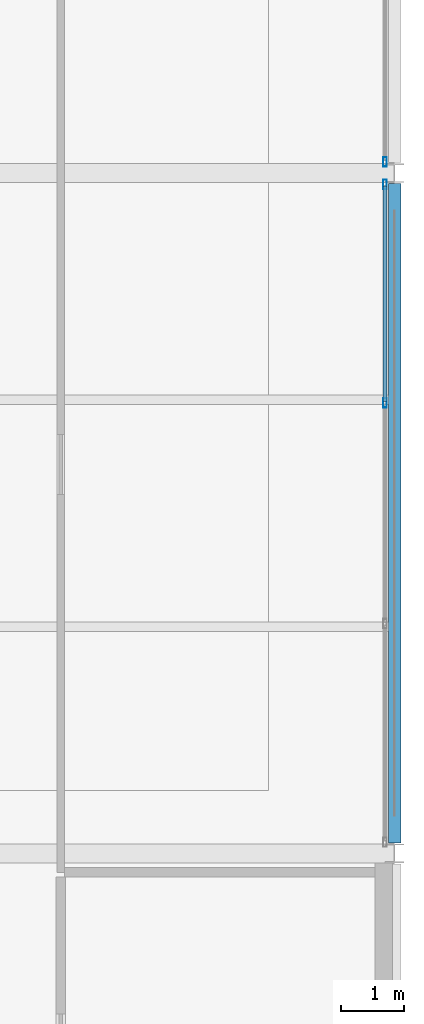
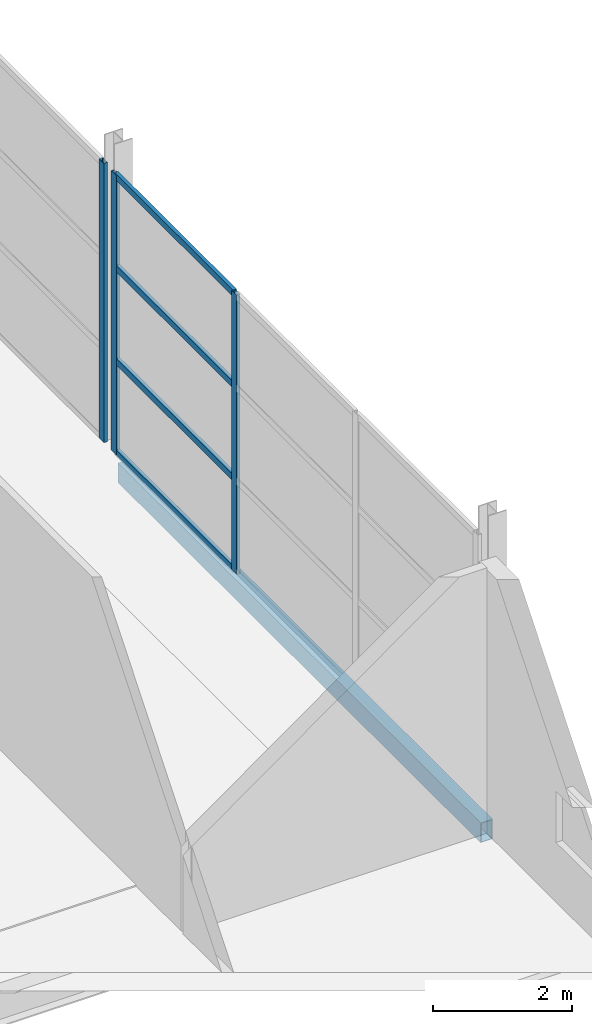
# One storey, part 14 of 34: 7 members, 1 beam, 2 elements without a shape of their own.
"""IFC4 building model written with IfcOpenShell, lengths in metres."""

from ifc_helpers import new_model, si_unit, direction, frame, origin, origin_2d, place, context, subcontext, project, spatial, hollow_rectangle, extrude, material, layer, layer_set, material_profile, profile_set, type_object, element, aggregate, save


model = new_model("IFC4")

# Units and contexts
model_context = context("Model", 3, precision=1e-05, world=origin(), true_north=direction((0.0, 1.0)))
body_context = subcontext(model_context, "Body", "Model", "MODEL_VIEW")
ifc_project = project(units=[si_unit("LENGTHUNIT", "METRE"), si_unit("AREAUNIT", "SQUARE_METRE"), si_unit("VOLUMEUNIT", "CUBIC_METRE"), si_unit("PLANEANGLEUNIT", "RADIAN"), si_unit("MASSUNIT", "GRAM", prefix="KILO")], contexts=[model_context])

# Site, building, storey
site_placement = place(None, origin())
site = spatial("IfcSite", under=ifc_project, at=site_placement, CompositionType="ELEMENT")
building_placement = place(site_placement, origin())
building = spatial("IfcBuilding", under=site, at=building_placement, Name="Tamarisk Ironworks Central Station", CompositionType="ELEMENT")
storey_placement = place(building_placement, frame((0.0, 0.0, 25.199951171875)))
storey = spatial("IfcBuildingStorey", under=building, at=storey_placement, Name="L05", CompositionType="ELEMENT", Elevation=25.199951171875)

# Beam
ifc_material_1 = material(Name="Structural steel S355J2", Category="steel")
ifc_material_profile_1 = material_profile(ifc_material_1, hollow_rectangle(XDim=0.199951171875, YDim=0.35009765625, WallThickness=0.012451171875, at=origin_2d()), Name="RHS 350x200x12.5")
ifc_profile_set_1 = profile_set([ifc_material_profile_1], Name="Structural steel S355J2")
beam_type = type_object("IfcBeamType", Name="BM-SP01", PredefinedType="SPANDREL", material=ifc_profile_set_1)
beam_placement = place(storey_placement, frame((180.0, 90.16796875, -0.39501953125), z_axis=(0.0, 1.0, 0.0), x_axis=(-1.0, 0.0, 0.0)))
element("IfcBeam", 1, at=beam_placement, inside=storey, type_object=beam_type, Name="L05 primary girder Y-0783", PredefinedType="SPANDREL", context=body_context, shape_type="SweptSolid", body=[
    extrude(hollow_rectangle(XDim=0.199951171875, YDim=0.35009765625, WallThickness=0.012451171875, at=origin_2d()), origin(), (0.0, 0.0, 1.0), 10.464111328125),
])

# Curtain wall, members
ifc_material_2 = material(Name="Anodized aluminium alloy 6063-T6", Category="aluminium")
ifc_layer = layer(ifc_material_2, 0.179931640625)
ifc_layer_set = layer_set([ifc_layer], Name="Anodized aluminium alloy 6063-T6")
curtain_wall_type = type_object("IfcCurtainWallType", Name="CW-23", PredefinedType="USERDEFINED", material=ifc_layer_set)
curtain_wall_1_placement = place(storey_placement, origin())
curtain_wall_1 = element("IfcCurtainWall", 2, at=curtain_wall_1_placement, inside=storey, type_object=curtain_wall_type, Name="Operations L05 east facade curtain wall 090", ObjectType="GLAZED CURTAIN WALL", PredefinedType="USERDEFINED")
ifc_material_profile_2 = material_profile(ifc_material_2, hollow_rectangle(XDim=0.06005859375, YDim=0.14990234375, WallThickness=0.00341796875, at=origin_2d()), Name="ALUM 150x60")
ifc_profile_set_2 = profile_set([ifc_material_profile_2], Name="Anodized aluminium alloy 6063-T6")
member_type_1 = type_object("IfcMemberType", Name="CWM-03", PredefinedType="MULLION", material=ifc_profile_set_2)
member_1_placement = place(storey_placement, frame((179.85009765625, 97.150634765625, 0.0), z_axis=(0.0, 0.0, 1.0), x_axis=(-1.0, 0.0, 0.0)))
member_1 = element("IfcMember", 3, at=member_1_placement, type_object=member_type_1, Name="CW23 mullion 3", PredefinedType="MULLION", context=body_context, shape_type="SweptSolid", body=[
    extrude(hollow_rectangle(XDim=0.06005859375, YDim=0.14990234375, WallThickness=0.00341796875, at=origin_2d()), origin(), (0.0, 0.0, 1.0), 4.920166015625),
])
member_2_placement = place(storey_placement, frame((179.85009765625, 100.6220703125, 0.0), z_axis=(0.0, 0.0, 1.0), x_axis=(-1.0, 0.0, 0.0)))
member_2 = element("IfcMember", 4, at=member_2_placement, type_object=member_type_1, Name="CW23 mullion 4", PredefinedType="MULLION", context=body_context, shape_type="SweptSolid", body=[
    extrude(hollow_rectangle(XDim=0.06005859375, YDim=0.14990234375, WallThickness=0.00341796875, at=origin_2d()), origin(), (0.0, 0.0, 1.0), 4.920166015625),
])

# Curtain wall, member
curtain_wall_2_placement = place(storey_placement, origin())
curtain_wall_2 = element("IfcCurtainWall", 5, at=curtain_wall_2_placement, inside=storey, type_object=curtain_wall_type, Name="Operations L05 east facade curtain wall 100", ObjectType="GLAZED CURTAIN WALL", PredefinedType="USERDEFINED")
member_3_placement = place(storey_placement, frame((179.85009765625, 100.97802734375, 0.0), z_axis=(0.0, 0.0, 1.0), x_axis=(-1.0, 0.0, 0.0)))
member_3 = element("IfcMember", 6, at=member_3_placement, type_object=member_type_1, Name="CW23 mullion 1", PredefinedType="MULLION", context=body_context, shape_type="SweptSolid", body=[
    extrude(hollow_rectangle(XDim=0.06005859375, YDim=0.14990234375, WallThickness=0.00341796875, at=origin_2d()), origin(), (0.0, 0.0, 1.0), 4.920166015625),
])
aggregate(curtain_wall_2, [member_3])

# Member
ifc_material_profile_3 = material_profile(ifc_material_2, hollow_rectangle(XDim=0.06005859375, YDim=0.114990234375, WallThickness=0.00341796875, at=origin_2d()), Name="ALUM 115x60")
ifc_profile_set_3 = profile_set([ifc_material_profile_3], Name="Anodized aluminium alloy 6063-T6")
member_type_2 = type_object("IfcMemberType", Name="CWT-03", PredefinedType="USERDEFINED", material=ifc_profile_set_3)
member_4_placement = place(storey_placement, frame((179.85009765625, 97.1767578125, 0.030029296875), z_axis=(0.0, 1.0, 0.0), x_axis=(-1.0, 0.0, 0.0)))
member_4 = element("IfcMember", 7, at=member_4_placement, type_object=member_type_2, Name="CW23 transom 3.1", ObjectType="TRANSOM", PredefinedType="USERDEFINED", context=body_context, shape_type="SweptSolid", body=[
    extrude(hollow_rectangle(XDim=0.06005859375, YDim=0.114990234375, WallThickness=0.00341796875, at=origin_2d()), origin(), (0.0, 0.0, 1.0), 3.419189453125),
])

member_5_placement = place(storey_placement, frame((179.85009765625, 97.1767578125, 1.64013671875), z_axis=(0.0, 1.0, 0.0), x_axis=(-1.0, 0.0, 0.0)))
member_5 = element("IfcMember", 8, at=member_5_placement, type_object=member_type_2, Name="CW23 transom 3.2", ObjectType="TRANSOM", PredefinedType="USERDEFINED", context=body_context, shape_type="SweptSolid", body=[
    extrude(hollow_rectangle(XDim=0.06005859375, YDim=0.114990234375, WallThickness=0.00341796875, at=origin_2d()), origin(), (0.0, 0.0, 1.0), 3.419189453125),
])

member_6_placement = place(storey_placement, frame((179.85009765625, 97.1767578125, 3.280029296875), z_axis=(0.0, 1.0, 0.0), x_axis=(-1.0, 0.0, 0.0)))
member_6 = element("IfcMember", 9, at=member_6_placement, type_object=member_type_2, Name="CW23 transom 3.3", ObjectType="TRANSOM", PredefinedType="USERDEFINED", context=body_context, shape_type="SweptSolid", body=[
    extrude(hollow_rectangle(XDim=0.06005859375, YDim=0.114990234375, WallThickness=0.00341796875, at=origin_2d()), origin(), (0.0, 0.0, 1.0), 3.419189453125),
])

member_7_placement = place(storey_placement, frame((179.85009765625, 97.1767578125, 4.89013671875), z_axis=(0.0, 1.0, 0.0), x_axis=(-1.0, 0.0, 0.0)))
member_7 = element("IfcMember", 10, at=member_7_placement, type_object=member_type_2, Name="CW23 transom 3.4", ObjectType="TRANSOM", PredefinedType="USERDEFINED", context=body_context, shape_type="SweptSolid", body=[
    extrude(hollow_rectangle(XDim=0.06005859375, YDim=0.114990234375, WallThickness=0.00341796875, at=origin_2d()), origin(), (0.0, 0.0, 1.0), 3.419189453125),
])

aggregate(curtain_wall_1, [member_1, member_2, member_4, member_5, member_6, member_7])

save(model, "model.ifc")
